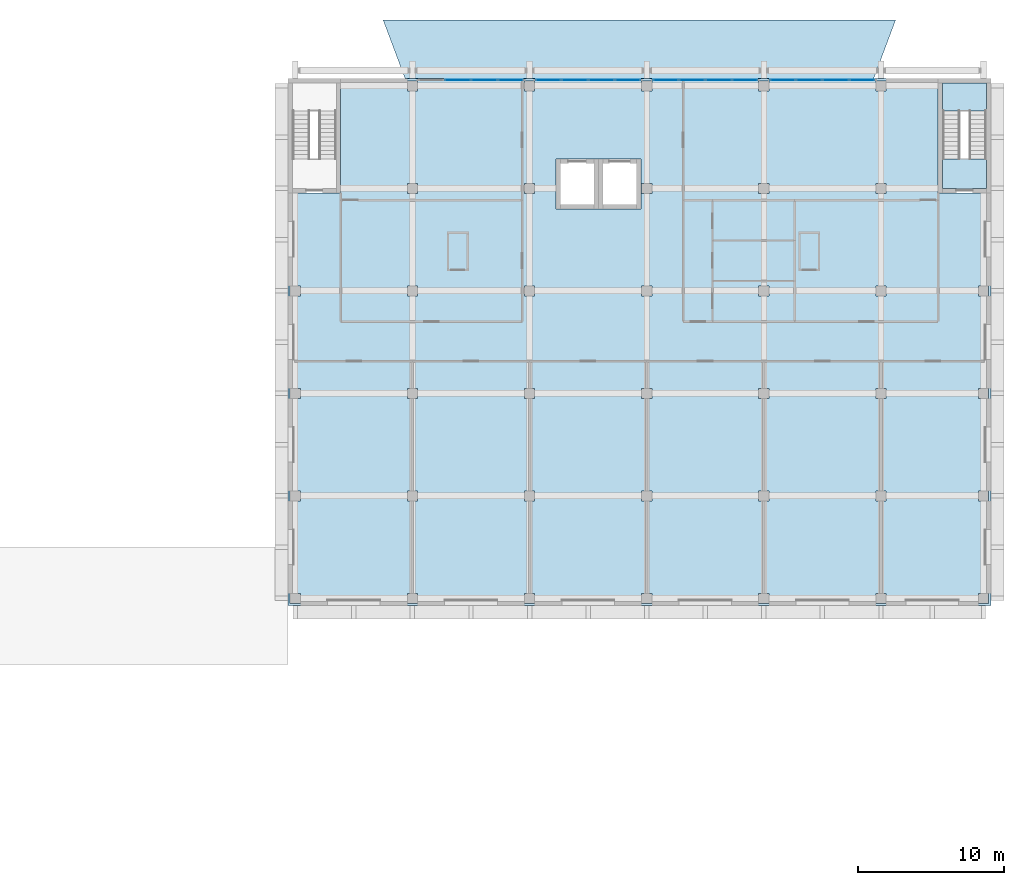
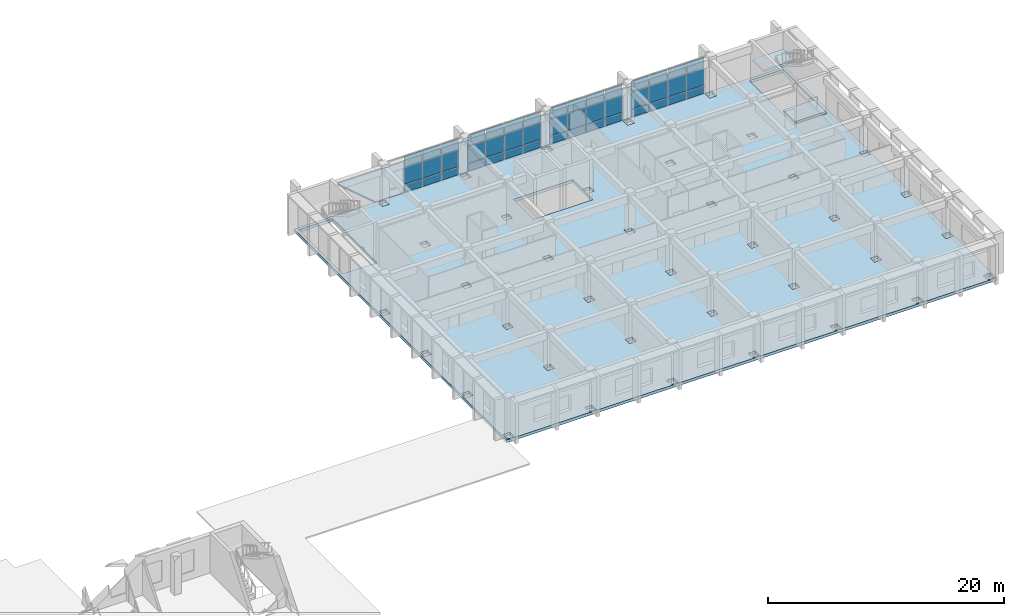
# One storey, part 24 of 45: 45 plates, 4 slabs, 5 elements without a shape of their own.
"""IFC4 building model written with IfcOpenShell, lengths in metres."""

from ifc_helpers import new_model, si_unit, direction, frame, origin, origin_2d, place, context, subcontext, project, spatial, polyline, rectangle, outline, extrude, material, layer, layer_set, type_object, element, aggregate, save


model = new_model("IFC4")

# Units and contexts
model_context = context("Model", 3, precision=1e-05, world=origin(), true_north=direction((0.0, 1.0)))
body_context = subcontext(model_context, "Body", "Model", "MODEL_VIEW")
ifc_project = project(units=[si_unit("LENGTHUNIT", "METRE"), si_unit("AREAUNIT", "SQUARE_METRE"), si_unit("VOLUMEUNIT", "CUBIC_METRE"), si_unit("PLANEANGLEUNIT", "RADIAN"), si_unit("MASSUNIT", "GRAM", prefix="KILO")], contexts=[model_context])

# Site, building, storey
site_placement = place(None, origin())
site = spatial("IfcSite", under=ifc_project, at=site_placement, CompositionType="ELEMENT")
building_placement = place(site_placement, origin())
building = spatial("IfcBuilding", under=site, at=building_placement, Name="Elmora Arch Market Hall", CompositionType="ELEMENT")
storey_placement = place(building_placement, frame((0.0, 0.0, 6.0)))
storey = spatial("IfcBuildingStorey", under=building, at=storey_placement, Name="L01", CompositionType="ELEMENT", Elevation=6.0)

# Slabs
ifc_material_1 = material(Name="Concrete C32/40", Category="concrete")
ifc_layer_1 = layer(ifc_material_1, 0.14990234375)
ifc_layer_set_1 = layer_set([ifc_layer_1], Name="Concrete C32/40")
slab_type_1 = type_object("IfcSlabType", Name="Canopy slab 150", PredefinedType="ROOF", material=ifc_layer_set_1)
slab_1_placement = place(storey_placement, frame((0.0, 0.0, -0.14990234375)))
element("IfcSlab", 1, at=slab_1_placement, inside=storey, type_object=slab_type_1, Name="School entrance canopy", PredefinedType="ROOF", context=body_context, shape_type="SweptSolid", body=[
    extrude(outline(polyline([(92.5, 170.0), (127.5, 170.0), (126.0, 166.0), (94.0, 166.0), (92.5, 170.0)])), origin(), (0.0, 0.0, 1.0), 0.14990234375),
])
ifc_material_2 = material(Name="Concrete C32/40", Category="concrete")
ifc_layer_2 = layer(ifc_material_2, 0.300048828125)
ifc_layer_set_2 = layer_set([ifc_layer_2], Name="Concrete C32/40")
slab_type_2 = type_object("IfcSlabType", Name="Floor slab 300", PredefinedType="FLOOR", material=ifc_layer_set_2)
slab_2_placement = place(storey_placement, frame((0.0, 0.0, -0.300048828125)))
element("IfcSlab", 2, at=slab_2_placement, inside=storey, type_object=slab_type_2, Name="L01 floor slab SCH", PredefinedType="FLOOR", context=body_context, shape_type="SweptSolid", body=[
    extrude(outline(polyline([(86.0, 130.0), (86.0, 166.0), (134.0, 166.0), (134.0, 130.0), (86.0, 130.0)]), holes=[polyline([(133.14892578125, 151.85107421875), (133.14892578125, 151.14892578125), (133.85107421875, 151.14892578125), (133.85107421875, 151.85107421875), (133.14892578125, 151.85107421875)]), polyline([(133.14892578125, 144.85107421875), (133.14892578125, 144.14892578125), (133.85107421875, 144.14892578125), (133.85107421875, 144.85107421875), (133.14892578125, 144.85107421875)]), polyline([(133.85107421875, 137.85107421875), (133.14892578125, 137.85107421875), (133.14892578125, 137.14892578125), (133.85107421875, 137.14892578125), (133.85107421875, 137.85107421875)]), polyline([(133.14892578125, 130.85107421875), (133.14892578125, 130.14892578125), (133.85107421875, 130.14892578125), (133.85107421875, 130.85107421875), (133.14892578125, 130.85107421875)]), polyline([(130.39892578125, 158.198974609375), (133.700927734375, 158.198974609375), (133.700927734375, 165.700927734375), (130.39892578125, 165.700927734375), (130.39892578125, 158.198974609375)]), polyline([(126.14892578125, 165.85107421875), (126.14892578125, 165.14892578125), (126.85107421875, 165.14892578125), (126.85107421875, 165.85107421875), (126.14892578125, 165.85107421875)]), polyline([(126.14892578125, 158.85107421875), (126.14892578125, 158.14892578125), (126.85107421875, 158.14892578125), (126.85107421875, 158.85107421875), (126.14892578125, 158.85107421875)]), polyline([(126.85107421875, 151.85107421875), (126.14892578125, 151.85107421875), (126.14892578125, 151.14892578125), (126.85107421875, 151.14892578125), (126.85107421875, 151.85107421875)]), polyline([(126.14892578125, 144.85107421875), (126.14892578125, 144.14892578125), (126.85107421875, 144.14892578125), (126.85107421875, 144.85107421875), (126.14892578125, 144.85107421875)]), polyline([(126.14892578125, 137.85107421875), (126.14892578125, 137.14892578125), (126.85107421875, 137.14892578125), (126.85107421875, 137.85107421875), (126.14892578125, 137.85107421875)]), polyline([(126.14892578125, 130.85107421875), (126.14892578125, 130.14892578125), (126.85107421875, 130.14892578125), (126.85107421875, 130.85107421875), (126.14892578125, 130.85107421875)]), polyline([(118.14892578125, 151.85107421875), (118.14892578125, 151.14892578125), (118.85107421875, 151.14892578125), (118.85107421875, 151.85107421875), (118.14892578125, 151.85107421875)]), polyline([(118.14892578125, 130.85107421875), (118.14892578125, 130.14892578125), (118.85107421875, 130.14892578125), (118.85107421875, 130.85107421875), (118.14892578125, 130.85107421875)]), polyline([(118.85107421875, 137.85107421875), (118.14892578125, 137.85107421875), (118.14892578125, 137.14892578125), (118.85107421875, 137.14892578125), (118.85107421875, 137.85107421875)]), polyline([(118.14892578125, 144.85107421875), (118.14892578125, 144.14892578125), (118.85107421875, 144.14892578125), (118.85107421875, 144.85107421875), (118.14892578125, 144.85107421875)]), polyline([(118.14892578125, 158.85107421875), (118.14892578125, 158.14892578125), (118.85107421875, 158.14892578125), (118.85107421875, 158.85107421875), (118.14892578125, 158.85107421875)]), polyline([(118.85107421875, 165.85107421875), (118.14892578125, 165.85107421875), (118.14892578125, 165.14892578125), (118.85107421875, 165.14892578125), (118.85107421875, 165.85107421875)]), polyline([(110.85107421875, 165.85107421875), (110.14892578125, 165.85107421875), (110.14892578125, 165.14892578125), (110.85107421875, 165.14892578125), (110.85107421875, 165.85107421875)]), polyline([(110.14892578125, 158.85107421875), (110.14892578125, 158.14892578125), (110.85107421875, 158.14892578125), (110.85107421875, 158.85107421875), (110.14892578125, 158.85107421875)]), polyline([(110.85107421875, 151.85107421875), (110.14892578125, 151.85107421875), (110.14892578125, 151.14892578125), (110.85107421875, 151.14892578125), (110.85107421875, 151.85107421875)]), polyline([(110.14892578125, 144.85107421875), (110.14892578125, 144.14892578125), (110.85107421875, 144.14892578125), (110.85107421875, 144.85107421875), (110.14892578125, 144.85107421875)]), polyline([(110.14892578125, 137.85107421875), (110.14892578125, 137.14892578125), (110.85107421875, 137.14892578125), (110.85107421875, 137.85107421875), (110.14892578125, 137.85107421875)]), polyline([(110.14892578125, 130.85107421875), (110.14892578125, 130.14892578125), (110.85107421875, 130.14892578125), (110.85107421875, 130.85107421875), (110.14892578125, 130.85107421875)]), polyline([(104.299072265625, 160.5009765625), (104.299072265625, 157.09912109375), (110.10107421875, 157.09912109375), (110.10107421875, 160.5009765625), (104.299072265625, 160.5009765625)]), polyline([(102.14892578125, 151.85107421875), (102.14892578125, 151.14892578125), (102.85107421875, 151.14892578125), (102.85107421875, 151.85107421875), (102.14892578125, 151.85107421875)]), polyline([(102.14892578125, 130.85107421875), (102.14892578125, 130.14892578125), (102.85107421875, 130.14892578125), (102.85107421875, 130.85107421875), (102.14892578125, 130.85107421875)]), polyline([(102.14892578125, 137.85107421875), (102.14892578125, 137.14892578125), (102.85107421875, 137.14892578125), (102.85107421875, 137.85107421875), (102.14892578125, 137.85107421875)]), polyline([(102.85107421875, 144.85107421875), (102.14892578125, 144.85107421875), (102.14892578125, 144.14892578125), (102.85107421875, 144.14892578125), (102.85107421875, 144.85107421875)]), polyline([(102.14892578125, 158.85107421875), (102.14892578125, 158.14892578125), (102.85107421875, 158.14892578125), (102.85107421875, 158.85107421875), (102.14892578125, 158.85107421875)]), polyline([(102.14892578125, 165.85107421875), (102.14892578125, 165.14892578125), (102.85107421875, 165.14892578125), (102.85107421875, 165.85107421875), (102.14892578125, 165.85107421875)]), polyline([(94.14892578125, 165.85107421875), (94.14892578125, 165.14892578125), (94.85107421875, 165.14892578125), (94.85107421875, 165.85107421875), (94.14892578125, 165.85107421875)]), polyline([(94.14892578125, 158.85107421875), (94.14892578125, 158.14892578125), (94.85107421875, 158.14892578125), (94.85107421875, 158.85107421875), (94.14892578125, 158.85107421875)]), polyline([(94.14892578125, 151.85107421875), (94.14892578125, 151.14892578125), (94.85107421875, 151.14892578125), (94.85107421875, 151.85107421875), (94.14892578125, 151.85107421875)]), polyline([(94.14892578125, 144.85107421875), (94.14892578125, 144.14892578125), (94.85107421875, 144.14892578125), (94.85107421875, 144.85107421875), (94.14892578125, 144.85107421875)]), polyline([(94.14892578125, 137.85107421875), (94.14892578125, 137.14892578125), (94.85107421875, 137.14892578125), (94.85107421875, 137.85107421875), (94.14892578125, 137.85107421875)]), polyline([(94.14892578125, 130.85107421875), (94.14892578125, 130.14892578125), (94.85107421875, 130.14892578125), (94.85107421875, 130.85107421875), (94.14892578125, 130.85107421875)]), polyline([(89.60107421875, 158.198974609375), (89.60107421875, 165.700927734375), (86.299072265625, 165.700927734375), (86.299072265625, 158.198974609375), (89.60107421875, 158.198974609375)]), polyline([(86.85107421875, 144.85107421875), (86.14892578125, 144.85107421875), (86.14892578125, 144.14892578125), (86.85107421875, 144.14892578125), (86.85107421875, 144.85107421875)]), polyline([(86.14892578125, 137.85107421875), (86.14892578125, 137.14892578125), (86.85107421875, 137.14892578125), (86.85107421875, 137.85107421875), (86.14892578125, 137.85107421875)]), polyline([(86.14892578125, 130.85107421875), (86.14892578125, 130.14892578125), (86.85107421875, 130.14892578125), (86.85107421875, 130.85107421875), (86.14892578125, 130.85107421875)]), polyline([(86.14892578125, 151.85107421875), (86.14892578125, 151.14892578125), (86.85107421875, 151.14892578125), (86.85107421875, 151.85107421875), (86.14892578125, 151.85107421875)])]), origin(), (0.0, 0.0, 1.0), 0.300048828125),
])

# Curtain wall, plates
ifc_material_3 = material(Name="Aluminium", Category="aluminium")
curtain_wall_type = type_object("IfcCurtainWallType", Name="School front curtain wall", PredefinedType="NOTDEFINED", material=ifc_material_3)
curtain_wall_1_placement = place(storey_placement, origin())
curtain_wall_1 = element("IfcCurtainWall", 3, at=curtain_wall_1_placement, inside=storey, type_object=curtain_wall_type, Name="School street front L01 1", PredefinedType="NOTDEFINED")
ifc_material_4 = material(Name="Glass", Category="glass")
ifc_layer_3 = layer(ifc_material_4, 0.035888671875)
ifc_layer_set_3 = layer_set([ifc_layer_3], Name="Glass")
plate_type = type_object("IfcPlateType", Name="Laminated glass panel 36", PredefinedType="CURTAIN_PANEL", material=ifc_layer_set_3)
plate_1_placement = place(storey_placement, frame((97.58740234375, 165.89990234375, 0.074951171875), z_axis=(0.0, 0.0, 1.0), x_axis=(1.0, 0.0, 0.0)))
plate_1 = element("IfcPlate", 4, at=plate_1_placement, type_object=plate_type, Name="CW5 panel 2.1", PredefinedType="CURTAIN_PANEL", context=body_context, shape_type="SweptSolid", body=[
    extrude(rectangle(XDim=1.72509765625, YDim=0.035888671875, at=origin_2d()), origin(), (0.0, 0.0, 1.0), 0.78759765625),
])
plate_2_placement = place(storey_placement, frame((97.58740234375, 165.89990234375, 0.9375), z_axis=(0.0, 0.0, 1.0), x_axis=(1.0, 0.0, 0.0)))
plate_2 = element("IfcPlate", 5, at=plate_2_placement, type_object=plate_type, Name="CW5 panel 2.2", PredefinedType="CURTAIN_PANEL", context=body_context, shape_type="SweptSolid", body=[
    extrude(rectangle(XDim=1.72509765625, YDim=0.035888671875, at=origin_2d()), origin(), (0.0, 0.0, 1.0), 1.72509765625),
])
plate_3_placement = place(storey_placement, frame((97.58740234375, 165.89990234375, 2.737548828125), z_axis=(0.0, 0.0, 1.0), x_axis=(1.0, 0.0, 0.0)))
plate_3 = element("IfcPlate", 6, at=plate_3_placement, type_object=plate_type, Name="CW5 panel 2.3", PredefinedType="CURTAIN_PANEL", context=body_context, shape_type="SweptSolid", body=[
    extrude(rectangle(XDim=1.72509765625, YDim=0.035888671875, at=origin_2d()), origin(), (0.0, 0.0, 1.0), 1.08740234375),
])
plate_4_placement = place(storey_placement, frame((99.41259765625, 165.89990234375, 0.074951171875), z_axis=(0.0, 0.0, 1.0), x_axis=(1.0, 0.0, 0.0)))
plate_4 = element("IfcPlate", 7, at=plate_4_placement, type_object=plate_type, Name="CW5 panel 3.1", PredefinedType="CURTAIN_PANEL", context=body_context, shape_type="SweptSolid", body=[
    extrude(rectangle(XDim=1.72509765625, YDim=0.035888671875, at=origin_2d()), origin(), (0.0, 0.0, 1.0), 0.78759765625),
])
plate_5_placement = place(storey_placement, frame((99.41259765625, 165.89990234375, 0.9375), z_axis=(0.0, 0.0, 1.0), x_axis=(1.0, 0.0, 0.0)))
plate_5 = element("IfcPlate", 8, at=plate_5_placement, type_object=plate_type, Name="CW5 panel 3.2", PredefinedType="CURTAIN_PANEL", context=body_context, shape_type="SweptSolid", body=[
    extrude(rectangle(XDim=1.72509765625, YDim=0.035888671875, at=origin_2d()), origin(), (0.0, 0.0, 1.0), 1.72509765625),
])
plate_6_placement = place(storey_placement, frame((99.41259765625, 165.89990234375, 2.737548828125), z_axis=(0.0, 0.0, 1.0), x_axis=(1.0, 0.0, 0.0)))
plate_6 = element("IfcPlate", 9, at=plate_6_placement, type_object=plate_type, Name="CW5 panel 3.3", PredefinedType="CURTAIN_PANEL", context=body_context, shape_type="SweptSolid", body=[
    extrude(rectangle(XDim=1.72509765625, YDim=0.035888671875, at=origin_2d()), origin(), (0.0, 0.0, 1.0), 1.08740234375),
])
plate_7_placement = place(storey_placement, frame((101.21240234375, 165.89990234375, 0.074951171875), z_axis=(0.0, 0.0, 1.0), x_axis=(1.0, 0.0, 0.0)))
plate_7 = element("IfcPlate", 10, at=plate_7_placement, type_object=plate_type, Name="CW5 panel 4.1", PredefinedType="CURTAIN_PANEL", context=body_context, shape_type="SweptSolid", body=[
    extrude(rectangle(XDim=1.675048828125, YDim=0.035888671875, at=origin_2d()), origin(), (0.0, 0.0, 1.0), 0.78759765625),
])
plate_8_placement = place(storey_placement, frame((101.21240234375, 165.89990234375, 0.9375), z_axis=(0.0, 0.0, 1.0), x_axis=(1.0, 0.0, 0.0)))
plate_8 = element("IfcPlate", 11, at=plate_8_placement, type_object=plate_type, Name="CW5 panel 4.2", PredefinedType="CURTAIN_PANEL", context=body_context, shape_type="SweptSolid", body=[
    extrude(rectangle(XDim=1.675048828125, YDim=0.035888671875, at=origin_2d()), origin(), (0.0, 0.0, 1.0), 1.72509765625),
])
plate_9_placement = place(storey_placement, frame((101.21240234375, 165.89990234375, 2.737548828125), z_axis=(0.0, 0.0, 1.0), x_axis=(1.0, 0.0, 0.0)))
plate_9 = element("IfcPlate", 12, at=plate_9_placement, type_object=plate_type, Name="CW5 panel 4.3", PredefinedType="CURTAIN_PANEL", context=body_context, shape_type="SweptSolid", body=[
    extrude(rectangle(XDim=1.675048828125, YDim=0.035888671875, at=origin_2d()), origin(), (0.0, 0.0, 1.0), 1.08740234375),
])
aggregate(curtain_wall_1, [plate_1, plate_2, plate_3, plate_4, plate_5, plate_6, plate_7, plate_8, plate_9])

curtain_wall_2_placement = place(storey_placement, origin())
curtain_wall_2 = element("IfcCurtainWall", 13, at=curtain_wall_2_placement, inside=storey, type_object=curtain_wall_type, Name="School street front L01 2", PredefinedType="NOTDEFINED")
plate_10_placement = place(storey_placement, frame((103.78759765625, 165.89990234375, 0.074951171875), z_axis=(0.0, 0.0, 1.0), x_axis=(1.0, 0.0, 0.0)))
plate_10 = element("IfcPlate", 14, at=plate_10_placement, type_object=plate_type, Name="CW5 panel 1.1", PredefinedType="CURTAIN_PANEL", context=body_context, shape_type="SweptSolid", body=[
    extrude(rectangle(XDim=1.675048828125, YDim=0.035888671875, at=origin_2d()), origin(), (0.0, 0.0, 1.0), 0.78759765625),
])
plate_11_placement = place(storey_placement, frame((103.78759765625, 165.89990234375, 0.9375), z_axis=(0.0, 0.0, 1.0), x_axis=(1.0, 0.0, 0.0)))
plate_11 = element("IfcPlate", 15, at=plate_11_placement, type_object=plate_type, Name="CW5 panel 1.2", PredefinedType="CURTAIN_PANEL", context=body_context, shape_type="SweptSolid", body=[
    extrude(rectangle(XDim=1.675048828125, YDim=0.035888671875, at=origin_2d()), origin(), (0.0, 0.0, 1.0), 1.72509765625),
])
plate_12_placement = place(storey_placement, frame((103.78759765625, 165.89990234375, 2.737548828125), z_axis=(0.0, 0.0, 1.0), x_axis=(1.0, 0.0, 0.0)))
plate_12 = element("IfcPlate", 16, at=plate_12_placement, type_object=plate_type, Name="CW5 panel 1.3", PredefinedType="CURTAIN_PANEL", context=body_context, shape_type="SweptSolid", body=[
    extrude(rectangle(XDim=1.675048828125, YDim=0.035888671875, at=origin_2d()), origin(), (0.0, 0.0, 1.0), 1.08740234375),
])
plate_13_placement = place(storey_placement, frame((105.58740234375, 165.89990234375, 0.074951171875), z_axis=(0.0, 0.0, 1.0), x_axis=(1.0, 0.0, 0.0)))
plate_13 = element("IfcPlate", 17, at=plate_13_placement, type_object=plate_type, Name="CW5 panel 2.1", PredefinedType="CURTAIN_PANEL", context=body_context, shape_type="SweptSolid", body=[
    extrude(rectangle(XDim=1.72509765625, YDim=0.035888671875, at=origin_2d()), origin(), (0.0, 0.0, 1.0), 0.78759765625),
])
plate_14_placement = place(storey_placement, frame((105.58740234375, 165.89990234375, 0.9375), z_axis=(0.0, 0.0, 1.0), x_axis=(1.0, 0.0, 0.0)))
plate_14 = element("IfcPlate", 18, at=plate_14_placement, type_object=plate_type, Name="CW5 panel 2.2", PredefinedType="CURTAIN_PANEL", context=body_context, shape_type="SweptSolid", body=[
    extrude(rectangle(XDim=1.72509765625, YDim=0.035888671875, at=origin_2d()), origin(), (0.0, 0.0, 1.0), 1.72509765625),
])
plate_15_placement = place(storey_placement, frame((105.58740234375, 165.89990234375, 2.737548828125), z_axis=(0.0, 0.0, 1.0), x_axis=(1.0, 0.0, 0.0)))
plate_15 = element("IfcPlate", 19, at=plate_15_placement, type_object=plate_type, Name="CW5 panel 2.3", PredefinedType="CURTAIN_PANEL", context=body_context, shape_type="SweptSolid", body=[
    extrude(rectangle(XDim=1.72509765625, YDim=0.035888671875, at=origin_2d()), origin(), (0.0, 0.0, 1.0), 1.08740234375),
])
plate_16_placement = place(storey_placement, frame((107.41259765625, 165.89990234375, 0.074951171875), z_axis=(0.0, 0.0, 1.0), x_axis=(1.0, 0.0, 0.0)))
plate_16 = element("IfcPlate", 20, at=plate_16_placement, type_object=plate_type, Name="CW5 panel 3.1", PredefinedType="CURTAIN_PANEL", context=body_context, shape_type="SweptSolid", body=[
    extrude(rectangle(XDim=1.72509765625, YDim=0.035888671875, at=origin_2d()), origin(), (0.0, 0.0, 1.0), 0.78759765625),
])
plate_17_placement = place(storey_placement, frame((107.41259765625, 165.89990234375, 0.9375), z_axis=(0.0, 0.0, 1.0), x_axis=(1.0, 0.0, 0.0)))
plate_17 = element("IfcPlate", 21, at=plate_17_placement, type_object=plate_type, Name="CW5 panel 3.2", PredefinedType="CURTAIN_PANEL", context=body_context, shape_type="SweptSolid", body=[
    extrude(rectangle(XDim=1.72509765625, YDim=0.035888671875, at=origin_2d()), origin(), (0.0, 0.0, 1.0), 1.72509765625),
])
plate_18_placement = place(storey_placement, frame((107.41259765625, 165.89990234375, 2.737548828125), z_axis=(0.0, 0.0, 1.0), x_axis=(1.0, 0.0, 0.0)))
plate_18 = element("IfcPlate", 22, at=plate_18_placement, type_object=plate_type, Name="CW5 panel 3.3", PredefinedType="CURTAIN_PANEL", context=body_context, shape_type="SweptSolid", body=[
    extrude(rectangle(XDim=1.72509765625, YDim=0.035888671875, at=origin_2d()), origin(), (0.0, 0.0, 1.0), 1.08740234375),
])
plate_19_placement = place(storey_placement, frame((109.21240234375, 165.89990234375, 0.074951171875), z_axis=(0.0, 0.0, 1.0), x_axis=(1.0, 0.0, 0.0)))
plate_19 = element("IfcPlate", 23, at=plate_19_placement, type_object=plate_type, Name="CW5 panel 4.1", PredefinedType="CURTAIN_PANEL", context=body_context, shape_type="SweptSolid", body=[
    extrude(rectangle(XDim=1.675048828125, YDim=0.035888671875, at=origin_2d()), origin(), (0.0, 0.0, 1.0), 0.78759765625),
])
plate_20_placement = place(storey_placement, frame((109.21240234375, 165.89990234375, 0.9375), z_axis=(0.0, 0.0, 1.0), x_axis=(1.0, 0.0, 0.0)))
plate_20 = element("IfcPlate", 24, at=plate_20_placement, type_object=plate_type, Name="CW5 panel 4.2", PredefinedType="CURTAIN_PANEL", context=body_context, shape_type="SweptSolid", body=[
    extrude(rectangle(XDim=1.675048828125, YDim=0.035888671875, at=origin_2d()), origin(), (0.0, 0.0, 1.0), 1.72509765625),
])
plate_21_placement = place(storey_placement, frame((109.21240234375, 165.89990234375, 2.737548828125), z_axis=(0.0, 0.0, 1.0), x_axis=(1.0, 0.0, 0.0)))
plate_21 = element("IfcPlate", 25, at=plate_21_placement, type_object=plate_type, Name="CW5 panel 4.3", PredefinedType="CURTAIN_PANEL", context=body_context, shape_type="SweptSolid", body=[
    extrude(rectangle(XDim=1.675048828125, YDim=0.035888671875, at=origin_2d()), origin(), (0.0, 0.0, 1.0), 1.08740234375),
])
aggregate(curtain_wall_2, [plate_10, plate_11, plate_12, plate_13, plate_14, plate_15, plate_16, plate_17, plate_18, plate_19, plate_20, plate_21])

curtain_wall_3_placement = place(storey_placement, origin())
curtain_wall_3 = element("IfcCurtainWall", 26, at=curtain_wall_3_placement, inside=storey, type_object=curtain_wall_type, Name="School street front L01 3", PredefinedType="NOTDEFINED")
plate_22_placement = place(storey_placement, frame((111.78759765625, 165.89990234375, 0.074951171875), z_axis=(0.0, 0.0, 1.0), x_axis=(1.0, 0.0, 0.0)))
plate_22 = element("IfcPlate", 27, at=plate_22_placement, type_object=plate_type, Name="CW5 panel 1.1", PredefinedType="CURTAIN_PANEL", context=body_context, shape_type="SweptSolid", body=[
    extrude(rectangle(XDim=1.675048828125, YDim=0.035888671875, at=origin_2d()), origin(), (0.0, 0.0, 1.0), 0.78759765625),
])
plate_23_placement = place(storey_placement, frame((111.78759765625, 165.89990234375, 0.9375), z_axis=(0.0, 0.0, 1.0), x_axis=(1.0, 0.0, 0.0)))
plate_23 = element("IfcPlate", 28, at=plate_23_placement, type_object=plate_type, Name="CW5 panel 1.2", PredefinedType="CURTAIN_PANEL", context=body_context, shape_type="SweptSolid", body=[
    extrude(rectangle(XDim=1.675048828125, YDim=0.035888671875, at=origin_2d()), origin(), (0.0, 0.0, 1.0), 1.72509765625),
])
plate_24_placement = place(storey_placement, frame((111.78759765625, 165.89990234375, 2.737548828125), z_axis=(0.0, 0.0, 1.0), x_axis=(1.0, 0.0, 0.0)))
plate_24 = element("IfcPlate", 29, at=plate_24_placement, type_object=plate_type, Name="CW5 panel 1.3", PredefinedType="CURTAIN_PANEL", context=body_context, shape_type="SweptSolid", body=[
    extrude(rectangle(XDim=1.675048828125, YDim=0.035888671875, at=origin_2d()), origin(), (0.0, 0.0, 1.0), 1.08740234375),
])
plate_25_placement = place(storey_placement, frame((113.58740234375, 165.89990234375, 0.074951171875), z_axis=(0.0, 0.0, 1.0), x_axis=(1.0, 0.0, 0.0)))
plate_25 = element("IfcPlate", 30, at=plate_25_placement, type_object=plate_type, Name="CW5 panel 2.1", PredefinedType="CURTAIN_PANEL", context=body_context, shape_type="SweptSolid", body=[
    extrude(rectangle(XDim=1.72509765625, YDim=0.035888671875, at=origin_2d()), origin(), (0.0, 0.0, 1.0), 0.78759765625),
])
plate_26_placement = place(storey_placement, frame((113.58740234375, 165.89990234375, 0.9375), z_axis=(0.0, 0.0, 1.0), x_axis=(1.0, 0.0, 0.0)))
plate_26 = element("IfcPlate", 31, at=plate_26_placement, type_object=plate_type, Name="CW5 panel 2.2", PredefinedType="CURTAIN_PANEL", context=body_context, shape_type="SweptSolid", body=[
    extrude(rectangle(XDim=1.72509765625, YDim=0.035888671875, at=origin_2d()), origin(), (0.0, 0.0, 1.0), 1.72509765625),
])
plate_27_placement = place(storey_placement, frame((113.58740234375, 165.89990234375, 2.737548828125), z_axis=(0.0, 0.0, 1.0), x_axis=(1.0, 0.0, 0.0)))
plate_27 = element("IfcPlate", 32, at=plate_27_placement, type_object=plate_type, Name="CW5 panel 2.3", PredefinedType="CURTAIN_PANEL", context=body_context, shape_type="SweptSolid", body=[
    extrude(rectangle(XDim=1.72509765625, YDim=0.035888671875, at=origin_2d()), origin(), (0.0, 0.0, 1.0), 1.08740234375),
])
plate_28_placement = place(storey_placement, frame((115.41259765625, 165.89990234375, 0.074951171875), z_axis=(0.0, 0.0, 1.0), x_axis=(1.0, 0.0, 0.0)))
plate_28 = element("IfcPlate", 33, at=plate_28_placement, type_object=plate_type, Name="CW5 panel 3.1", PredefinedType="CURTAIN_PANEL", context=body_context, shape_type="SweptSolid", body=[
    extrude(rectangle(XDim=1.72509765625, YDim=0.035888671875, at=origin_2d()), origin(), (0.0, 0.0, 1.0), 0.78759765625),
])
plate_29_placement = place(storey_placement, frame((115.41259765625, 165.89990234375, 0.9375), z_axis=(0.0, 0.0, 1.0), x_axis=(1.0, 0.0, 0.0)))
plate_29 = element("IfcPlate", 34, at=plate_29_placement, type_object=plate_type, Name="CW5 panel 3.2", PredefinedType="CURTAIN_PANEL", context=body_context, shape_type="SweptSolid", body=[
    extrude(rectangle(XDim=1.72509765625, YDim=0.035888671875, at=origin_2d()), origin(), (0.0, 0.0, 1.0), 1.72509765625),
])
plate_30_placement = place(storey_placement, frame((115.41259765625, 165.89990234375, 2.737548828125), z_axis=(0.0, 0.0, 1.0), x_axis=(1.0, 0.0, 0.0)))
plate_30 = element("IfcPlate", 35, at=plate_30_placement, type_object=plate_type, Name="CW5 panel 3.3", PredefinedType="CURTAIN_PANEL", context=body_context, shape_type="SweptSolid", body=[
    extrude(rectangle(XDim=1.72509765625, YDim=0.035888671875, at=origin_2d()), origin(), (0.0, 0.0, 1.0), 1.08740234375),
])
plate_31_placement = place(storey_placement, frame((117.21240234375, 165.89990234375, 0.074951171875), z_axis=(0.0, 0.0, 1.0), x_axis=(1.0, 0.0, 0.0)))
plate_31 = element("IfcPlate", 36, at=plate_31_placement, type_object=plate_type, Name="CW5 panel 4.1", PredefinedType="CURTAIN_PANEL", context=body_context, shape_type="SweptSolid", body=[
    extrude(rectangle(XDim=1.675048828125, YDim=0.035888671875, at=origin_2d()), origin(), (0.0, 0.0, 1.0), 0.78759765625),
])
plate_32_placement = place(storey_placement, frame((117.21240234375, 165.89990234375, 0.9375), z_axis=(0.0, 0.0, 1.0), x_axis=(1.0, 0.0, 0.0)))
plate_32 = element("IfcPlate", 37, at=plate_32_placement, type_object=plate_type, Name="CW5 panel 4.2", PredefinedType="CURTAIN_PANEL", context=body_context, shape_type="SweptSolid", body=[
    extrude(rectangle(XDim=1.675048828125, YDim=0.035888671875, at=origin_2d()), origin(), (0.0, 0.0, 1.0), 1.72509765625),
])
plate_33_placement = place(storey_placement, frame((117.21240234375, 165.89990234375, 2.737548828125), z_axis=(0.0, 0.0, 1.0), x_axis=(1.0, 0.0, 0.0)))
plate_33 = element("IfcPlate", 38, at=plate_33_placement, type_object=plate_type, Name="CW5 panel 4.3", PredefinedType="CURTAIN_PANEL", context=body_context, shape_type="SweptSolid", body=[
    extrude(rectangle(XDim=1.675048828125, YDim=0.035888671875, at=origin_2d()), origin(), (0.0, 0.0, 1.0), 1.08740234375),
])
aggregate(curtain_wall_3, [plate_22, plate_23, plate_24, plate_25, plate_26, plate_27, plate_28, plate_29, plate_30, plate_31, plate_32, plate_33])

curtain_wall_4_placement = place(storey_placement, origin())
curtain_wall_4 = element("IfcCurtainWall", 39, at=curtain_wall_4_placement, inside=storey, type_object=curtain_wall_type, Name="School street front L01 4", PredefinedType="NOTDEFINED")
plate_34_placement = place(storey_placement, frame((119.78759765625, 165.89990234375, 0.074951171875), z_axis=(0.0, 0.0, 1.0), x_axis=(1.0, 0.0, 0.0)))
plate_34 = element("IfcPlate", 40, at=plate_34_placement, type_object=plate_type, Name="CW5 panel 1.1", PredefinedType="CURTAIN_PANEL", context=body_context, shape_type="SweptSolid", body=[
    extrude(rectangle(XDim=1.675048828125, YDim=0.035888671875, at=origin_2d()), origin(), (0.0, 0.0, 1.0), 0.78759765625),
])
plate_35_placement = place(storey_placement, frame((119.78759765625, 165.89990234375, 0.9375), z_axis=(0.0, 0.0, 1.0), x_axis=(1.0, 0.0, 0.0)))
plate_35 = element("IfcPlate", 41, at=plate_35_placement, type_object=plate_type, Name="CW5 panel 1.2", PredefinedType="CURTAIN_PANEL", context=body_context, shape_type="SweptSolid", body=[
    extrude(rectangle(XDim=1.675048828125, YDim=0.035888671875, at=origin_2d()), origin(), (0.0, 0.0, 1.0), 1.72509765625),
])
plate_36_placement = place(storey_placement, frame((119.78759765625, 165.89990234375, 2.737548828125), z_axis=(0.0, 0.0, 1.0), x_axis=(1.0, 0.0, 0.0)))
plate_36 = element("IfcPlate", 42, at=plate_36_placement, type_object=plate_type, Name="CW5 panel 1.3", PredefinedType="CURTAIN_PANEL", context=body_context, shape_type="SweptSolid", body=[
    extrude(rectangle(XDim=1.675048828125, YDim=0.035888671875, at=origin_2d()), origin(), (0.0, 0.0, 1.0), 1.08740234375),
])
plate_37_placement = place(storey_placement, frame((121.58740234375, 165.89990234375, 0.074951171875), z_axis=(0.0, 0.0, 1.0), x_axis=(1.0, 0.0, 0.0)))
plate_37 = element("IfcPlate", 43, at=plate_37_placement, type_object=plate_type, Name="CW5 panel 2.1", PredefinedType="CURTAIN_PANEL", context=body_context, shape_type="SweptSolid", body=[
    extrude(rectangle(XDim=1.72509765625, YDim=0.035888671875, at=origin_2d()), origin(), (0.0, 0.0, 1.0), 0.78759765625),
])
plate_38_placement = place(storey_placement, frame((121.58740234375, 165.89990234375, 0.9375), z_axis=(0.0, 0.0, 1.0), x_axis=(1.0, 0.0, 0.0)))
plate_38 = element("IfcPlate", 44, at=plate_38_placement, type_object=plate_type, Name="CW5 panel 2.2", PredefinedType="CURTAIN_PANEL", context=body_context, shape_type="SweptSolid", body=[
    extrude(rectangle(XDim=1.72509765625, YDim=0.035888671875, at=origin_2d()), origin(), (0.0, 0.0, 1.0), 1.72509765625),
])
plate_39_placement = place(storey_placement, frame((121.58740234375, 165.89990234375, 2.737548828125), z_axis=(0.0, 0.0, 1.0), x_axis=(1.0, 0.0, 0.0)))
plate_39 = element("IfcPlate", 45, at=plate_39_placement, type_object=plate_type, Name="CW5 panel 2.3", PredefinedType="CURTAIN_PANEL", context=body_context, shape_type="SweptSolid", body=[
    extrude(rectangle(XDim=1.72509765625, YDim=0.035888671875, at=origin_2d()), origin(), (0.0, 0.0, 1.0), 1.08740234375),
])
plate_40_placement = place(storey_placement, frame((123.41259765625, 165.89990234375, 0.074951171875), z_axis=(0.0, 0.0, 1.0), x_axis=(1.0, 0.0, 0.0)))
plate_40 = element("IfcPlate", 46, at=plate_40_placement, type_object=plate_type, Name="CW5 panel 3.1", PredefinedType="CURTAIN_PANEL", context=body_context, shape_type="SweptSolid", body=[
    extrude(rectangle(XDim=1.72509765625, YDim=0.035888671875, at=origin_2d()), origin(), (0.0, 0.0, 1.0), 0.78759765625),
])
plate_41_placement = place(storey_placement, frame((123.41259765625, 165.89990234375, 0.9375), z_axis=(0.0, 0.0, 1.0), x_axis=(1.0, 0.0, 0.0)))
plate_41 = element("IfcPlate", 47, at=plate_41_placement, type_object=plate_type, Name="CW5 panel 3.2", PredefinedType="CURTAIN_PANEL", context=body_context, shape_type="SweptSolid", body=[
    extrude(rectangle(XDim=1.72509765625, YDim=0.035888671875, at=origin_2d()), origin(), (0.0, 0.0, 1.0), 1.72509765625),
])
plate_42_placement = place(storey_placement, frame((123.41259765625, 165.89990234375, 2.737548828125), z_axis=(0.0, 0.0, 1.0), x_axis=(1.0, 0.0, 0.0)))
plate_42 = element("IfcPlate", 48, at=plate_42_placement, type_object=plate_type, Name="CW5 panel 3.3", PredefinedType="CURTAIN_PANEL", context=body_context, shape_type="SweptSolid", body=[
    extrude(rectangle(XDim=1.72509765625, YDim=0.035888671875, at=origin_2d()), origin(), (0.0, 0.0, 1.0), 1.08740234375),
])
plate_43_placement = place(storey_placement, frame((125.21240234375, 165.89990234375, 0.074951171875), z_axis=(0.0, 0.0, 1.0), x_axis=(1.0, 0.0, 0.0)))
plate_43 = element("IfcPlate", 49, at=plate_43_placement, type_object=plate_type, Name="CW5 panel 4.1", PredefinedType="CURTAIN_PANEL", context=body_context, shape_type="SweptSolid", body=[
    extrude(rectangle(XDim=1.675048828125, YDim=0.035888671875, at=origin_2d()), origin(), (0.0, 0.0, 1.0), 0.78759765625),
])
plate_44_placement = place(storey_placement, frame((125.21240234375, 165.89990234375, 0.9375), z_axis=(0.0, 0.0, 1.0), x_axis=(1.0, 0.0, 0.0)))
plate_44 = element("IfcPlate", 50, at=plate_44_placement, type_object=plate_type, Name="CW5 panel 4.2", PredefinedType="CURTAIN_PANEL", context=body_context, shape_type="SweptSolid", body=[
    extrude(rectangle(XDim=1.675048828125, YDim=0.035888671875, at=origin_2d()), origin(), (0.0, 0.0, 1.0), 1.72509765625),
])
plate_45_placement = place(storey_placement, frame((125.21240234375, 165.89990234375, 2.737548828125), z_axis=(0.0, 0.0, 1.0), x_axis=(1.0, 0.0, 0.0)))
plate_45 = element("IfcPlate", 51, at=plate_45_placement, type_object=plate_type, Name="CW5 panel 4.3", PredefinedType="CURTAIN_PANEL", context=body_context, shape_type="SweptSolid", body=[
    extrude(rectangle(XDim=1.675048828125, YDim=0.035888671875, at=origin_2d()), origin(), (0.0, 0.0, 1.0), 1.08740234375),
])
aggregate(curtain_wall_4, [plate_34, plate_35, plate_36, plate_37, plate_38, plate_39, plate_40, plate_41, plate_42, plate_43, plate_44, plate_45])

# Stair, slabs
ifc_material_5 = material(Name="Concrete C40/50", Category="concrete")
stair_type = type_object("IfcStairType", Name="Exit stair 1200", PredefinedType="TWO_STRAIGHT_RUN_STAIR", material=ifc_material_5)
stair_placement = place(storey_placement, origin())
stair = element("IfcStair", 52, at=stair_placement, inside=storey, type_object=stair_type, Name="Stair ST-SCE L01", PredefinedType="TWO_STRAIGHT_RUN_STAIR")
ifc_material_6 = material(Name="Concrete C32/40", Category="concrete")
ifc_layer_4 = layer(ifc_material_6, 0.199951171875)
ifc_layer_set_4 = layer_set([ifc_layer_4], Name="Concrete C32/40")
slab_type_3 = type_object("IfcSlabType", Name="Stair landing 200", PredefinedType="LANDING", material=ifc_layer_set_4)
slab_3_placement = place(storey_placement, frame((0.0, 0.0, -0.199951171875)))
slab_3 = element("IfcSlab", 53, at=slab_3_placement, type_object=slab_type_3, Name="Stair ST-SCE L01 landing 1", PredefinedType="LANDING", context=body_context, shape_type="SweptSolid", body=[
    extrude(outline(polyline([(130.699951171875, 158.5), (133.699951171875, 158.5), (133.699951171875, 160.5), (130.699951171875, 160.5), (130.699951171875, 158.5)])), origin(), (0.0, 0.0, 1.0), 0.199951171875),
])
slab_4_placement = place(storey_placement, frame((0.0, 0.0, 1.89990234375)))
slab_4 = element("IfcSlab", 54, at=slab_4_placement, type_object=slab_type_3, Name="Stair ST-SCE L01 landing 2", PredefinedType="LANDING", context=body_context, shape_type="SweptSolid", body=[
    extrude(outline(polyline([(130.699951171875, 163.800048828125), (133.699951171875, 163.800048828125), (133.699951171875, 165.699951171875), (130.699951171875, 165.699951171875), (130.699951171875, 163.800048828125)])), origin(), (0.0, 0.0, 1.0), 0.2001953125),
])
aggregate(stair, [slab_3, slab_4])

save(model, "model.ifc")
